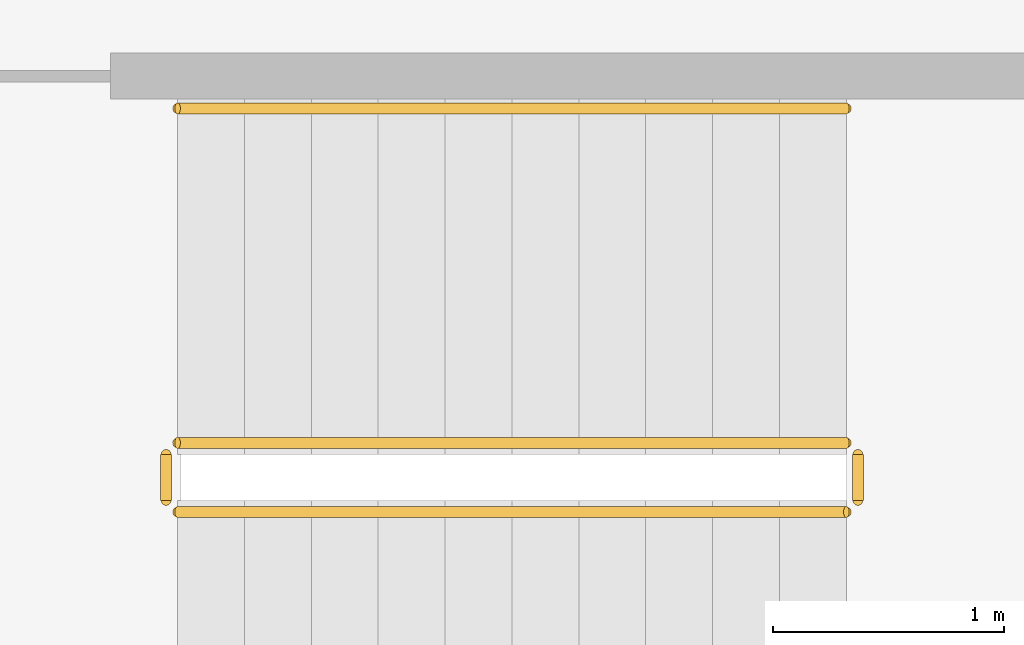
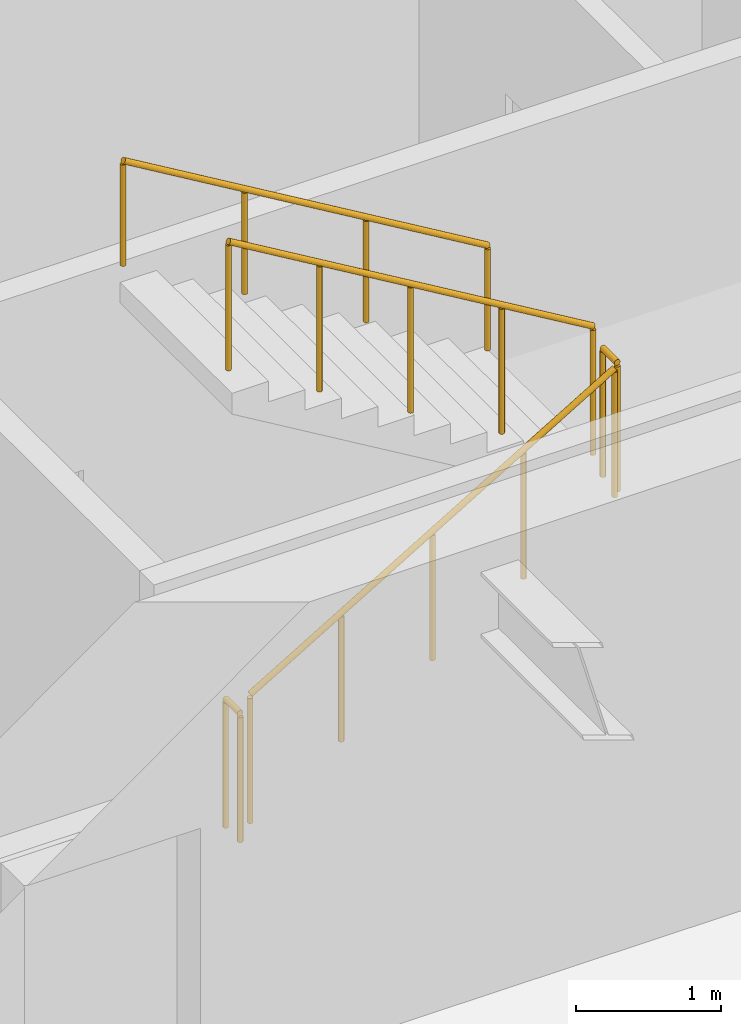
# One storey, part 21 of 22: 5 railings.
"""IFC4 building model written with IfcOpenShell, lengths in metres."""

from ifc_helpers import new_model, si_unit, direction, frame, origin, origin_2d, place, context, subcontext, project, spatial, circle, extrude, material, type_object, element, save


model = new_model("IFC4")

# Units and contexts
model_context = context("Model", 3, precision=1e-05, world=origin(), true_north=direction((0.0, 1.0)))
body_context = subcontext(model_context, "Body", "Model", "MODEL_VIEW")
ifc_project = project(units=[si_unit("LENGTHUNIT", "METRE"), si_unit("AREAUNIT", "SQUARE_METRE"), si_unit("VOLUMEUNIT", "CUBIC_METRE"), si_unit("PLANEANGLEUNIT", "RADIAN"), si_unit("MASSUNIT", "GRAM", prefix="KILO")], contexts=[model_context])

# Site, building, storey
site_placement = place(None, origin())
site = spatial("IfcSite", under=ifc_project, at=site_placement, CompositionType="ELEMENT")
building_placement = place(site_placement, origin())
building = spatial("IfcBuilding", under=site, at=building_placement, Name="Putna Gate Headquarters", CompositionType="ELEMENT")
storey_placement = place(building_placement, frame((0.0, 0.0, 151.800048828125)))
storey = spatial("IfcBuildingStorey", under=building, at=storey_placement, Name="L37", CompositionType="ELEMENT", Elevation=151.800048828125)

# Railings
ifc_material_1 = material(Name="Powder-coated steel stair guardrail", Category="steel")
railing_type_1 = type_object("IfcRailingType", Name="RAIL-STAIR-GUARD-1100", PredefinedType="GUARDRAIL", material=ifc_material_1)
railing_1_placement = place(storey_placement, frame((57.89990234375, 21.10009765625, 0.172607421875)))
element("IfcRailing", 1, at=railing_1_placement, inside=storey, type_object=railing_type_1, Name="L37 ST2 stair guard 1", PredefinedType="GUARDRAIL", context=body_context, shape_type="SweptSolid", body=[
    extrude(circle(Radius=0.02392578125, at=origin_2d()), frame((0.0, 0.0, 1.076171875), z_axis=(0.859160404282, 0.0, 0.51170636083), x_axis=(0.0, 1.0, 0.0)), (0.0, 0.0, 1.0), 3.37548828125),
    extrude(circle(Radius=0.02099609375, at=origin_2d()), origin(), (0.0, 0.0, 1.0), 1.052001953125),
    extrude(circle(Radius=0.02099609375, at=origin_2d()), frame((0.72509765625, 0.0, 0.431884765625)), (0.0, 0.0, 1.0), 1.052001953125),
    extrude(circle(Radius=0.02099609375, at=origin_2d()), frame((1.4501953125, 0.0, 0.86376953125)), (0.0, 0.0, 1.0), 1.052001953125),
    extrude(circle(Radius=0.02099609375, at=origin_2d()), frame((2.175048828125, 0.0, 1.29541015625)), (0.0, 0.0, 1.0), 1.052001953125),
    extrude(circle(Radius=0.02099609375, at=origin_2d()), frame((2.900146484375, 0.0, 1.727294921875)), (0.0, 0.0, 1.0), 1.052001953125),
])
railing_2_placement = place(storey_placement, frame((60.85009765625, 21.14990234375, 1.89990234375)))
element("IfcRailing", 2, at=railing_2_placement, inside=storey, type_object=railing_type_1, Name="L37 ST2 stair guard 2", PredefinedType="GUARDRAIL", context=body_context, shape_type="SweptSolid", body=[
    extrude(circle(Radius=0.02392578125, at=origin_2d()), frame((0.0, 0.0, 1.076171875), z_axis=(0.0, 1.0, 0.0), x_axis=(-1.0, 0.0, 0.0)), (0.0, 0.0, 1.0), 0.2001953125),
    extrude(circle(Radius=0.02099609375, at=origin_2d()), origin(), (0.0, 0.0, 1.0), 1.052001953125),
    extrude(circle(Radius=0.02099609375, at=origin_2d()), frame((0.0, 0.2001953125, 0.0)), (0.0, 0.0, 1.0), 1.052001953125),
])
railing_3_placement = place(storey_placement, frame((60.800048828125, 21.39990234375, 2.07275390625)))
element("IfcRailing", 3, at=railing_3_placement, inside=storey, type_object=railing_type_1, Name="L37 ST2 stair guard 3", PredefinedType="GUARDRAIL", context=body_context, shape_type="SweptSolid", body=[
    extrude(circle(Radius=0.02392578125, at=origin_2d()), frame((0.0, 0.0, 1.076171875), z_axis=(-0.859160404282, 0.0, 0.51170636083), x_axis=(0.0, -1.0, 0.0)), (0.0, 0.0, 1.0), 3.37548828125),
    extrude(circle(Radius=0.02099609375, at=origin_2d()), origin(), (0.0, 0.0, 1.0), 1.052001953125),
    extrude(circle(Radius=0.02099609375, at=origin_2d()), frame((-0.72509765625, 0.0, 0.431884765625)), (0.0, 0.0, 1.0), 1.052001953125),
    extrude(circle(Radius=0.02099609375, at=origin_2d()), frame((-1.4501953125, 0.0, 0.86376953125)), (0.0, 0.0, 1.0), 1.052001953125),
    extrude(circle(Radius=0.02099609375, at=origin_2d()), frame((-2.175048828125, 0.0, 1.29541015625)), (0.0, 0.0, 1.0), 1.052001953125),
    extrude(circle(Radius=0.02099609375, at=origin_2d()), frame((-2.900146484375, 0.0, 1.727294921875)), (0.0, 0.0, 1.0), 1.052001953125),
])
railing_4_placement = place(storey_placement, frame((57.85009765625, 21.14990234375, 0.0)))
element("IfcRailing", 4, at=railing_4_placement, inside=storey, type_object=railing_type_1, Name="L37 ST2 stair guard 4", PredefinedType="GUARDRAIL", context=body_context, shape_type="SweptSolid", body=[
    extrude(circle(Radius=0.02392578125, at=origin_2d()), frame((0.0, 0.0, 1.076171875), z_axis=(0.0, 1.0, 0.0), x_axis=(-1.0, 0.0, 0.0)), (0.0, 0.0, 1.0), 0.2001953125),
    extrude(circle(Radius=0.02099609375, at=origin_2d()), origin(), (0.0, 0.0, 1.0), 1.052001953125),
    extrude(circle(Radius=0.02099609375, at=origin_2d()), frame((0.0, 0.2001953125, 0.0)), (0.0, 0.0, 1.0), 1.052001953125),
])
ifc_material_2 = material(Name="Brushed stainless steel handrail", Category="steel")
railing_type_2 = type_object("IfcRailingType", Name="RAIL-STAIR-HAND-900", PredefinedType="HANDRAIL", material=ifc_material_2)
railing_5_placement = place(storey_placement, frame((60.800048828125, 22.85009765625, 2.07275390625)))
element("IfcRailing", 5, at=railing_5_placement, inside=storey, type_object=railing_type_2, Name="L37 ST2 stair handrail 2", PredefinedType="HANDRAIL", context=body_context, shape_type="SweptSolid", body=[
    extrude(circle(Radius=0.02392578125, at=origin_2d()), frame((0.0, 0.0, 0.8759765625), z_axis=(-0.859160404282, 0.0, 0.51170636083), x_axis=(0.0, -1.0, 0.0)), (0.0, 0.0, 1.0), 3.37548828125),
    extrude(circle(Radius=0.02099609375, at=origin_2d()), origin(), (0.0, 0.0, 1.0), 0.851806640625),
    extrude(circle(Radius=0.02099609375, at=origin_2d()), frame((-0.966796875, 0.0, 0.57568359375)), (0.0, 0.0, 1.0), 0.851806640625),
    extrude(circle(Radius=0.02099609375, at=origin_2d()), frame((-1.933349609375, 0.0, 1.151611328125)), (0.0, 0.0, 1.0), 0.851806640625),
    extrude(circle(Radius=0.02099609375, at=origin_2d()), frame((-2.900146484375, 0.0, 1.727294921875)), (0.0, 0.0, 1.0), 0.851806640625),
])

save(model, "model.ifc")
